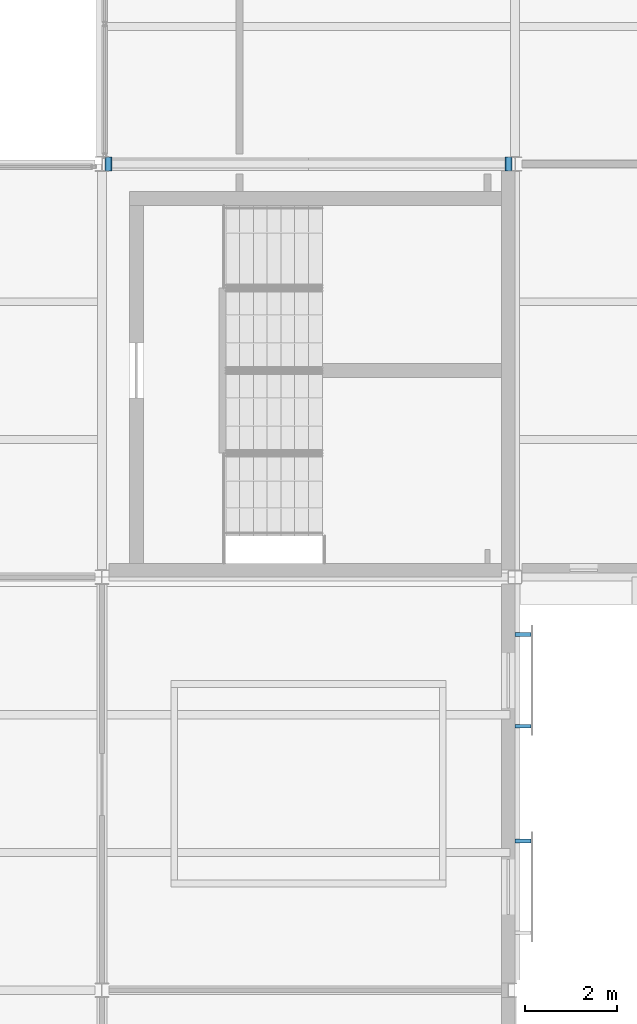
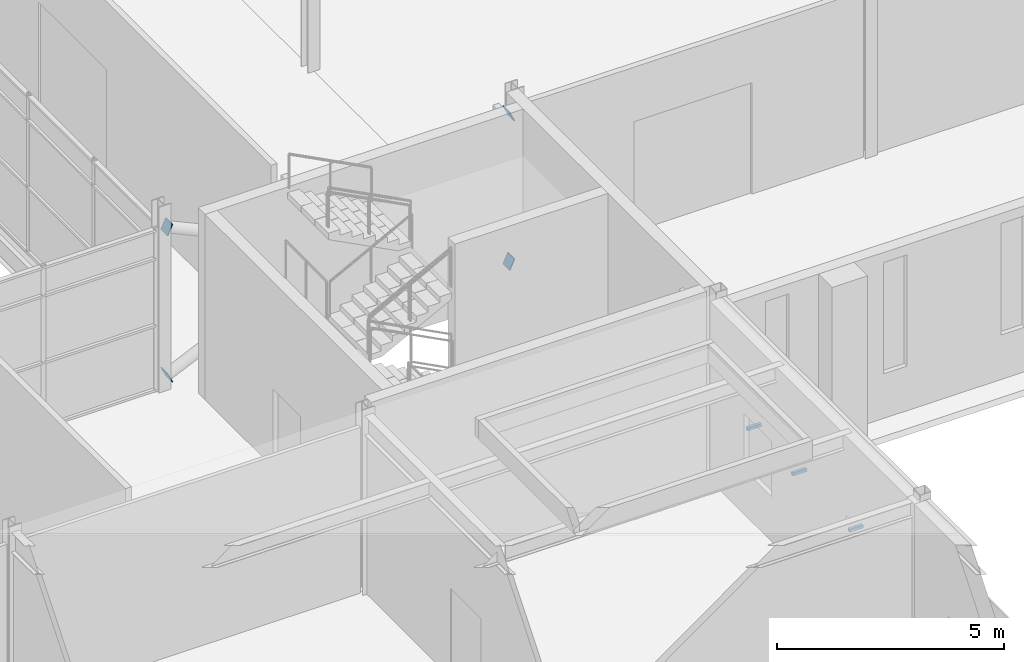
# One storey, part 101 of 115: 7 discrete accessories.
"""IFC4 building model written with IfcOpenShell, lengths in metres."""

from ifc_helpers import new_model, si_unit, direction, frame, origin, origin_2d, place, context, subcontext, project, spatial, polyline, rectangle, outline, extrude, material, layer, layer_set, type_object, element, save


model = new_model("IFC4")

# Units and contexts
model_context = context("Model", 3, precision=1e-05, world=origin(), true_north=direction((0.0, 1.0)))
body_context = subcontext(model_context, "Body", "Model", "MODEL_VIEW")
ifc_project = project(units=[si_unit("LENGTHUNIT", "METRE"), si_unit("AREAUNIT", "SQUARE_METRE"), si_unit("VOLUMEUNIT", "CUBIC_METRE"), si_unit("PLANEANGLEUNIT", "RADIAN"), si_unit("MASSUNIT", "GRAM", prefix="KILO")], contexts=[model_context])

# Site, building, storey
site_placement = place(None, origin())
site = spatial("IfcSite", under=ifc_project, at=site_placement, CompositionType="ELEMENT")
building_placement = place(site_placement, origin())
building = spatial("IfcBuilding", under=site, at=building_placement, Name="Shorebreak Coast Museum", CompositionType="ELEMENT")
storey_placement = place(building_placement, frame((0.0, 0.0, 11.0)))
storey = spatial("IfcBuildingStorey", under=building, at=storey_placement, Name="L02", CompositionType="ELEMENT", Elevation=11.0)

# Discrete accessories
ifc_material_1 = material(Name="Steel Grade 300", Category="steel")
ifc_layer = layer(ifc_material_1, 0.02490234375)
ifc_layer_set = layer_set([ifc_layer], Name="Steel Grade 300")
discrete_accessory_type_1 = type_object("IfcDiscreteAccessoryType", Name="End plate 300 x 300 x 25", PredefinedType="BRACKET", material=ifc_layer_set)
discrete_accessory_1_placement = place(storey_placement, frame((108.218017578125, 62.85009765625, 0.16357421875), z_axis=(0.909051978606, 0.0, 0.416682733255), x_axis=(0.0, 1.0, 0.0)))
element("IfcDiscreteAccessory", 1, at=discrete_accessory_1_placement, inside=storey, type_object=discrete_accessory_type_1, Name="End plate X-brace bay 02 L02 diagonal 1 end 1", PredefinedType="BRACKET", context=body_context, shape_type="SweptSolid", body=[
    extrude(outline(polyline([(0.0, 0.0), (0.2998046875, 0.0), (0.2998046875, 0.2999884325022589), (0.0, 0.2999884325022589), (0.0, 0.0)])), origin(), (0.0, 0.0, -1.0), 0.02490234375),
])
discrete_accessory_2_placement = place(storey_placement, frame((116.931640625, 62.85009765625, 4.14892578125), z_axis=(0.909500839953, 0.0, 0.415702083378), x_axis=(0.0, 1.0, 0.0)))
element("IfcDiscreteAccessory", 2, at=discrete_accessory_2_placement, inside=storey, type_object=discrete_accessory_type_1, Name="End plate X-brace bay 02 L02 diagonal 1 end 2", PredefinedType="BRACKET", context=body_context, shape_type="SweptSolid", body=[
    extrude(outline(polyline([(0.0, 0.0), (0.2998046875, 0.0), (0.2998046875, 0.30010881437343706), (0.0, 0.30010881437343706), (0.0, 0.0)])), origin(), (0.0, 0.0, -1.0), 0.02490234375),
])
discrete_accessory_3_placement = place(storey_placement, frame((116.7841796875, 63.14990234375, 0.16357421875), z_axis=(-0.909360103086, 0.0, 0.416009859156), x_axis=(0.0, -1.0, 0.0)))
element("IfcDiscreteAccessory", 3, at=discrete_accessory_3_placement, inside=storey, type_object=discrete_accessory_type_1, Name="End plate X-brace bay 02 L02 diagonal 2 end 1", PredefinedType="BRACKET", context=body_context, shape_type="SweptSolid", body=[
    extrude(outline(polyline([(0.0, 0.0), (0.2998046875, 0.0), (0.2998046875, 0.29988678544336883), (0.0, 0.29988678544336883), (0.0, 0.0)])), origin(), (0.0, 0.0, -1.0), 0.02490234375),
])
discrete_accessory_4_placement = place(storey_placement, frame((108.0703125, 63.14990234375, 4.14892578125), z_axis=(-0.909193123375, 0.0, 0.416374668308), x_axis=(0.0, -1.0, 0.0)))
element("IfcDiscreteAccessory", 4, at=discrete_accessory_4_placement, inside=storey, type_object=discrete_accessory_type_1, Name="End plate X-brace bay 02 L02 diagonal 2 end 2", PredefinedType="BRACKET", context=body_context, shape_type="SweptSolid", body=[
    extrude(outline(polyline([(0.0, 0.0), (0.2998046875, 0.0), (0.2998046875, 0.30021038625643076), (0.0, 0.30021038625643076), (0.0, 0.0)])), origin(), (0.0, 0.0, -1.0), 0.02490234375),
])
ifc_material_2 = material(Name="Aluminium", Category="aluminium")
discrete_accessory_type_2 = type_object("IfcDiscreteAccessoryType", Name="Fixing bracket 80 x 350", PredefinedType="BRACKET", material=ifc_material_2)
for number, where, z_axis, x_axis, name in (
    (5, (117.175048828125, 48.25, 1.909912109375), (0.0, 0.0, 1.0), (1.0, 0.0, 0.0), "Fixing bracket"),
    (6, (117.175048828125, 50.75, 1.909912109375), (0.0, 0.0, 1.0), (1.0, 0.0, 0.0), "Fixing bracket"),
    (7, (117.175048828125, 52.75, 1.909912109375), (0.0, 0.0, 1.0), (1.0, 0.0, 0.0), "Fixing bracket"),
):
    element("IfcDiscreteAccessory", number, at=place(storey_placement, frame(where, z_axis=z_axis, x_axis=x_axis)), inside=storey, type_object=discrete_accessory_type_2, Name=name, PredefinedType="BRACKET", context=body_context, shape_type="SweptSolid", body=[
        extrude(rectangle(XDim=0.35009765625, YDim=0.080078125, at=origin_2d()), origin(), (0.0, 0.0, 1.0), 0.080078125),
    ])

save(model, "model.ifc")
